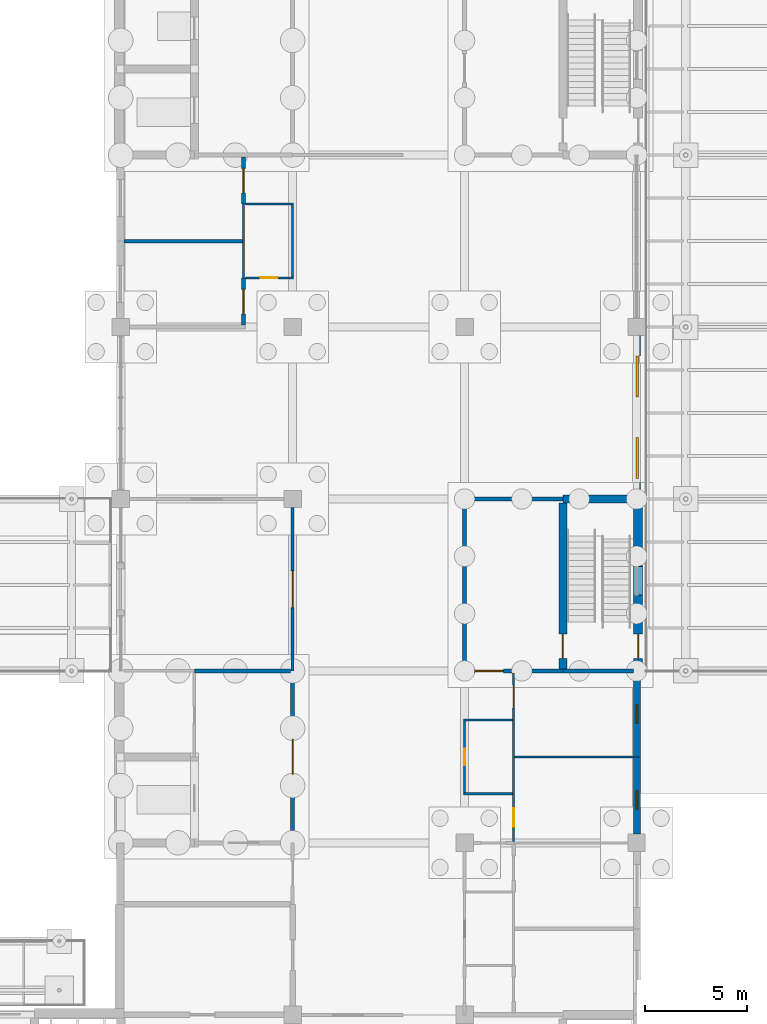
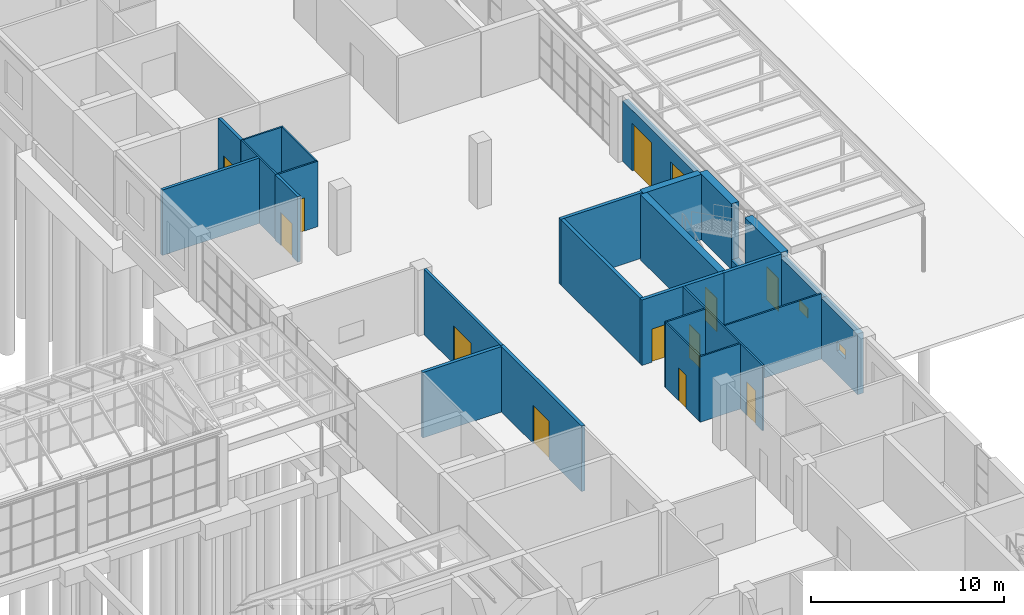
# One storey, part 117 of 138: 27 walls, 13 doors, 2 windows, 15 openings.
"""IFC4 building model written with IfcOpenShell, lengths in metres."""

from ifc_helpers import new_model, si_unit, direction, frame, frame_2d, origin, place, context, subcontext, project, spatial, rectangle, extrude, material, layer, layer_set, type_object, element, fill, save


model = new_model("IFC4")

# Units and contexts
model_context = context("Model", 3, precision=1e-05, world=origin(), true_north=direction((0.0, 1.0)))
body_context = subcontext(model_context, "Body", "Model", "MODEL_VIEW")
ifc_project = project(units=[si_unit("LENGTHUNIT", "METRE"), si_unit("AREAUNIT", "SQUARE_METRE"), si_unit("VOLUMEUNIT", "CUBIC_METRE"), si_unit("PLANEANGLEUNIT", "RADIAN"), si_unit("MASSUNIT", "GRAM", prefix="KILO")], contexts=[model_context])

# Site, building, storey
site_placement = place(None, origin())
site = spatial("IfcSite", under=ifc_project, at=site_placement, CompositionType="ELEMENT")
building_placement = place(site_placement, origin())
building = spatial("IfcBuilding", under=site, at=building_placement, Name="Yavir Park General Hospital", CompositionType="ELEMENT")
storey_placement = place(building_placement, origin())
storey = spatial("IfcBuildingStorey", under=building, at=storey_placement, Name="L00", CompositionType="ELEMENT", Elevation=0.0)

# Wall
ifc_material_1 = material(Name="Double-leaf gypsum board acoustic partition on staggered studs")
ifc_layer_1 = layer(ifc_material_1, 0.175048828125)
ifc_layer_set_1 = layer_set([ifc_layer_1], Name="Double-leaf gypsum board acoustic partition on staggered studs")
wall_type_1 = type_object("IfcWallType", Name="Acoustic partition 175", PredefinedType="PARTITIONING", material=ifc_layer_set_1)
wall_1_placement = place(storey_placement, frame((142.949951171875, 71.39990234375, 0.0), z_axis=(0.0, 0.0, 1.0), x_axis=(1.0, 0.0, 0.0)))
element("IfcWall", 1, at=wall_1_placement, inside=storey, type_object=wall_type_1, Name="AP175 L00-170", PredefinedType="PARTITIONING", context=body_context, shape_type="SweptSolid", body=[
    extrude(rectangle(XDim=5.800048828125, YDim=0.175048828125, at=frame_2d((2.89990234375, 0.0))), origin(), (0.0, 0.0, 1.0), 4.139892578125),
])

# Wall, opening, door
wall_2_placement = place(storey_placement, frame((148.800048828125, 67.28759765625, 0.0), z_axis=(0.0, 0.0, 1.0), x_axis=(0.0, 1.0, 0.0)))
wall_2 = element("IfcWall", 2, at=wall_2_placement, inside=storey, type_object=wall_type_1, Name="AP175 L00-471", PredefinedType="PARTITIONING", context=body_context, shape_type="SweptSolid", body=[
    extrude(rectangle(XDim=2.3125, YDim=0.175048828125, at=frame_2d((1.15625, 0.0))), origin(), (0.0, 0.0, 1.0), 4.139892578125),
])
opening_1_placement = place(wall_2_placement, frame((0.55615234375, 0.0, 0.0)))
opening_1 = element("IfcOpeningElement", 3, at=opening_1_placement, cuts=wall_2, Name="Opening L00.D218", PredefinedType="OPENING", context=body_context, shape_type="SweptSolid", body=[
    extrude(rectangle(XDim=1.199951171875, YDim=2.10009765625, at=frame_2d((0.60009765625, 1.050048828125))), frame((0.0, 0.097412109375, 0.0), z_axis=(0.0, -1.0, 0.0), x_axis=(1.0, 0.0, 0.0)), (0.0, 0.0, 1.0), 0.195068359375),
])
ifc_material_2 = material(Name="Sealed solid-core acoustic door leaf, Rw 42 dB")
door_type_1 = type_object("IfcDoorType", Name="Acoustic door 1200 x 2100", OperationType="SINGLE_SWING_LEFT", PredefinedType="DOOR", material=ifc_material_2)
door_1_placement = place(opening_1_placement, origin())
door_1 = element("IfcDoor", 4, at=door_1_placement, inside=storey, type_object=door_type_1, Name="L00.D218", OperationType="SINGLE_SWING_RIGHT", OverallHeight=2.10009765625, OverallWidth=1.199951171875, PredefinedType="DOOR", context=body_context, shape_type="SweptSolid", body=[
    extrude(rectangle(XDim=1.199951171875, YDim=2.10009765625, at=frame_2d((0.60009765625, 1.050048828125))), frame((0.0, 0.03515625, 0.0), z_axis=(0.0, -1.0, 0.0), x_axis=(1.0, 0.0, 0.0)), (0.0, 0.0, 1.0), 0.070068359375),
])
fill(opening_1, door_1)

wall_3_placement = place(storey_placement, frame((148.800048828125, 73.199951171875, 0.0), z_axis=(0.0, 0.0, 1.0), x_axis=(0.0, 1.0, 0.0)))
wall_3 = element("IfcWall", 5, at=wall_3_placement, inside=storey, type_object=wall_type_1, Name="AP175 L00-473", PredefinedType="PARTITIONING", context=body_context, shape_type="SweptSolid", body=[
    extrude(rectangle(XDim=2.300048828125, YDim=0.175048828125, at=frame_2d((1.14990234375, 0.0))), origin(), (0.0, 0.0, 1.0), 4.139892578125),
])
opening_2_placement = place(wall_3_placement, frame((0.550048828125, 0.0, 0.0)))
opening_2 = element("IfcOpeningElement", 6, at=opening_2_placement, cuts=wall_3, Name="Opening L00.D219", PredefinedType="OPENING", context=body_context, shape_type="SweptSolid", body=[
    extrude(rectangle(XDim=1.199951171875, YDim=2.10009765625, at=frame_2d((0.60009765625, 1.050048828125))), frame((0.0, 0.097412109375, 0.0), z_axis=(0.0, -1.0, 0.0), x_axis=(1.0, 0.0, 0.0)), (0.0, 0.0, 1.0), 0.195068359375),
])
door_2_placement = place(opening_2_placement, origin())
door_2 = element("IfcDoor", 7, at=door_2_placement, inside=storey, type_object=door_type_1, Name="L00.D219", OperationType="SINGLE_SWING_LEFT", OverallHeight=2.10009765625, OverallWidth=1.199951171875, PredefinedType="DOOR", context=body_context, shape_type="SweptSolid", body=[
    extrude(rectangle(XDim=1.199951171875, YDim=2.10009765625, at=frame_2d((0.60009765625, 1.050048828125))), frame((0.0, 0.03515625, 0.0), z_axis=(0.0, -1.0, 0.0), x_axis=(1.0, 0.0, 0.0)), (0.0, 0.0, 1.0), 0.070068359375),
])
fill(opening_2, door_2)

# Wall
ifc_material_3 = material(Name="Double gypsum board fire partition on steel studs", Category="steel")
ifc_layer_2 = layer(ifc_material_3, 0.199951171875)
ifc_layer_set_2 = layer_set([ifc_layer_2], Name="Double gypsum board fire partition on steel studs")
wall_type_2 = type_object("IfcWallType", Name="Fire-rated partition 200, EI 60", PredefinedType="PARTITIONING", material=ifc_layer_set_2)
wall_4_placement = place(storey_placement, frame((146.39990234375, 50.39990234375, 0.0), z_axis=(0.0, 0.0, 1.0), x_axis=(1.0, 0.0, 0.0)))
element("IfcWall", 8, at=wall_4_placement, inside=storey, type_object=wall_type_2, Name="FP20 L00-131", PredefinedType="PARTITIONING", context=body_context, shape_type="SweptSolid", body=[
    extrude(rectangle(XDim=4.7001953125, YDim=0.199951171875, at=frame_2d((2.35009765625, 0.0))), origin(), (0.0, 0.0, 1.0), 4.139892578125),
])

# Wall, opening, door
wall_5_placement = place(storey_placement, frame((159.5, 50.39990234375, 0.0), z_axis=(0.0, 0.0, 1.0), x_axis=(1.0, 0.0, 0.0)))
wall_5 = element("IfcWall", 9, at=wall_5_placement, inside=storey, type_object=wall_type_2, Name="FP20 L00-132", PredefinedType="PARTITIONING", context=body_context, shape_type="SweptSolid", body=[
    extrude(rectangle(XDim=4.89990234375, YDim=0.199951171875, at=frame_2d((2.449951171875, 0.0))), origin(), (0.0, 0.0, 1.0), 4.139892578125),
])
opening_3_placement = place(wall_5_placement, frame((0.60009765625, 0.0, 0.0)))
opening_3 = element("IfcOpeningElement", 10, at=opening_3_placement, cuts=wall_5, Name="Opening L00.D089", PredefinedType="OPENING", context=body_context, shape_type="SweptSolid", body=[
    extrude(rectangle(XDim=1.39990234375, YDim=2.10009765625, at=frame_2d((0.699951171875, 1.050048828125))), frame((0.0, 0.10986328125, 0.0), z_axis=(0.0, -1.0, 0.0), x_axis=(1.0, 0.0, 0.0)), (0.0, 0.0, 1.0), 0.219970703125),
])
ifc_material_4 = material(Name="Steel frame, fire-resisting leaves with vision panels", Category="steel")
door_type_2 = type_object("IfcDoorType", Name="Double fire door with vision panels 1400 x 2100, EI 60", OperationType="DOUBLE_DOOR_SINGLE_SWING", PredefinedType="DOOR", material=ifc_material_4)
door_3_placement = place(opening_3_placement, origin())
door_3 = element("IfcDoor", 11, at=door_3_placement, inside=storey, type_object=door_type_2, Name="L00.D089", OperationType="SINGLE_SWING_RIGHT", OverallHeight=2.10009765625, OverallWidth=1.39990234375, PredefinedType="DOOR", context=body_context, shape_type="SweptSolid", body=[
    extrude(rectangle(XDim=1.39990234375, YDim=2.10009765625, at=frame_2d((0.699951171875, 1.050048828125))), frame((0.0, 0.030029296875, 0.0), z_axis=(0.0, -1.0, 0.0), x_axis=(1.0, 0.0, 0.0)), (0.0, 0.0, 1.0), 0.06005859375),
])
fill(opening_3, door_3)

# Wall
wall_6_placement = place(storey_placement, frame((159.5, 58.800048828125, 0.0), z_axis=(0.0, 0.0, 1.0), x_axis=(1.0, 0.0, 0.0)))
element("IfcWall", 12, at=wall_6_placement, inside=storey, type_object=wall_type_2, Name="FP20 L00-148", PredefinedType="PARTITIONING", context=body_context, shape_type="SweptSolid", body=[
    extrude(rectangle(XDim=4.89990234375, YDim=0.199951171875, at=frame_2d((2.449951171875, 0.0))), origin(), (0.0, 0.0, 1.0), 4.139892578125),
])

# Wall, opening, door
wall_7_placement = place(storey_placement, frame((151.199951171875, 42.0, 0.0), z_axis=(0.0, 0.0, 1.0), x_axis=(0.0, 1.0, 0.0)))
wall_7 = element("IfcWall", 13, at=wall_7_placement, inside=storey, type_object=wall_type_2, Name="FP20 L00-487", PredefinedType="PARTITIONING", context=body_context, shape_type="SweptSolid", body=[
    extrude(rectangle(XDim=8.39990234375, YDim=0.199951171875, at=frame_2d((4.199951171875, 0.0))), origin(), (0.0, 0.0, 1.0), 4.139892578125),
])
opening_4_placement = place(wall_7_placement, frame((3.35009765625, 0.0, 0.0)))
opening_4 = element("IfcOpeningElement", 14, at=opening_4_placement, cuts=wall_7, Name="Opening L00.D228", PredefinedType="OPENING", context=body_context, shape_type="SweptSolid", body=[
    extrude(rectangle(XDim=1.699951171875, YDim=2.39990234375, at=frame_2d((0.85009765625, 1.199951171875))), frame((0.0, 0.10986328125, 0.0), z_axis=(0.0, -1.0, 0.0), x_axis=(1.0, 0.0, 0.0)), (0.0, 0.0, 1.0), 0.219970703125),
])
ifc_material_5 = material(Name="Steel frame, fire-resisting timber leaves", Category="steel")
door_type_3 = type_object("IfcDoorType", Name="Double fire door 1700 x 2400, EI 60", OperationType="DOUBLE_DOOR_SINGLE_SWING", PredefinedType="DOOR", material=ifc_material_5)
door_4_placement = place(opening_4_placement, origin())
door_4 = element("IfcDoor", 15, at=door_4_placement, inside=storey, type_object=door_type_3, Name="L00.D228", OperationType="SINGLE_SWING_RIGHT", OverallHeight=2.39990234375, OverallWidth=1.699951171875, PredefinedType="DOOR", context=body_context, shape_type="SweptSolid", body=[
    extrude(rectangle(XDim=1.699951171875, YDim=2.39990234375, at=frame_2d((0.85009765625, 1.199951171875))), frame((0.0, 0.02490234375, 0.0), z_axis=(0.0, -1.0, 0.0), x_axis=(1.0, 0.0, 0.0)), (0.0, 0.0, 1.0), 0.050048828125),
])
fill(opening_4, door_4)

# Walls
wall_8_placement = place(storey_placement, frame((159.60009765625, 50.5, 0.0), z_axis=(0.0, 0.0, 1.0), x_axis=(0.0, 1.0, 0.0)))
element("IfcWall", 16, at=wall_8_placement, inside=storey, type_object=wall_type_2, Name="FP20 L00-506", PredefinedType="PARTITIONING", context=body_context, shape_type="SweptSolid", body=[
    extrude(rectangle(XDim=8.199951171875, YDim=0.199951171875, at=frame_2d((4.10009765625, 0.0))), origin(), (0.0, 0.0, 1.0), 4.139892578125),
])
ifc_material_6 = material(Name="Double gypsum board fire partition on steel studs", Category="steel")
ifc_layer_3 = layer(ifc_material_6, 0.199951171875)
ifc_layer_set_3 = layer_set([ifc_layer_3], Name="Double gypsum board fire partition on steel studs")
wall_type_3 = type_object("IfcWallType", Name="Fire-rated partition 200, REI 150", PredefinedType="PARTITIONING", material=ifc_layer_set_3)
wall_9_placement = place(storey_placement, frame((164.39990234375, 50.39990234375, 0.0), z_axis=(0.0, 0.0, 1.0), x_axis=(1.0, 0.0, 0.0)))
element("IfcWall", 17, at=wall_9_placement, inside=storey, type_object=wall_type_3, Name="FP20 L00-133", PredefinedType="PARTITIONING", context=body_context, shape_type="SweptSolid", body=[
    extrude(rectangle(XDim=3.4501953125, YDim=0.199951171875, at=frame_2d((1.72509765625, 0.0))), origin(), (0.0, 0.0, 1.0), 4.139892578125),
])
ifc_material_7 = material(Name="Gypsum board partition on steel studs", Category="steel")
ifc_layer_4 = layer(ifc_material_7, 0.10009765625)
ifc_layer_set_4 = layer_set([ifc_layer_4], Name="Gypsum board partition on steel studs")
wall_type_4 = type_object("IfcWallType", Name="Gypsum board partition 100", PredefinedType="PARTITIONING", material=ifc_layer_set_4)
wall_10_placement = place(storey_placement, frame((159.550048828125, 44.39990234375, 0.0), z_axis=(0.0, 0.0, 1.0), x_axis=(1.0, 0.0, 0.0)))
element("IfcWall", 18, at=wall_10_placement, inside=storey, type_object=wall_type_4, Name="P10 L00-116", PredefinedType="PARTITIONING", context=body_context, shape_type="SweptSolid", body=[
    extrude(rectangle(XDim=2.39990234375, YDim=0.10009765625, at=frame_2d((1.199951171875, 0.0))), origin(), (0.0, 0.0, 1.0), 4.139892578125),
])
wall_11_placement = place(storey_placement, frame((162.050048828125, 46.199951171875, 0.0), z_axis=(0.0, 0.0, 1.0), x_axis=(1.0, 0.0, 0.0)))
element("IfcWall", 19, at=wall_11_placement, inside=storey, type_object=wall_type_4, Name="P10 L00-119", PredefinedType="PARTITIONING", context=body_context, shape_type="SweptSolid", body=[
    extrude(rectangle(XDim=5.800048828125, YDim=0.10009765625, at=frame_2d((2.89990234375, 0.0))), origin(), (0.0, 0.0, 1.0), 4.139892578125),
])
wall_12_placement = place(storey_placement, frame((159.550048828125, 48.0, 0.0), z_axis=(0.0, 0.0, 1.0), x_axis=(1.0, 0.0, 0.0)))
element("IfcWall", 20, at=wall_12_placement, inside=storey, type_object=wall_type_4, Name="P10 L00-121", PredefinedType="PARTITIONING", context=body_context, shape_type="SweptSolid", body=[
    extrude(rectangle(XDim=2.39990234375, YDim=0.10009765625, at=frame_2d((1.199951171875, 0.0))), origin(), (0.0, 0.0, 1.0), 4.139892578125),
])

# Wall, opening, door
wall_13_placement = place(storey_placement, frame((148.887451171875, 69.60009765625, 0.0), z_axis=(0.0, 0.0, 1.0), x_axis=(1.0, 0.0, 0.0)))
wall_13 = element("IfcWall", 21, at=wall_13_placement, inside=storey, type_object=wall_type_4, Name="P10 L00-166", PredefinedType="PARTITIONING", context=body_context, shape_type="SweptSolid", body=[
    extrude(rectangle(XDim=2.362548828125, YDim=0.10009765625, at=frame_2d((1.18115234375, 0.0))), origin(), (0.0, 0.0, 1.0), 4.139892578125),
])
opening_5_placement = place(wall_13_placement, frame((0.75634765625, 0.0, 0.0)))
opening_5 = element("IfcOpeningElement", 22, at=opening_5_placement, cuts=wall_13, Name="Opening L00.D107", PredefinedType="OPENING", context=body_context, shape_type="SweptSolid", body=[
    extrude(rectangle(XDim=0.800048828125, YDim=2.10009765625, at=frame_2d((0.39990234375, 1.050048828125))), frame((0.0, 0.06005859375, 0.0), z_axis=(0.0, -1.0, 0.0), x_axis=(1.0, 0.0, 0.0)), (0.0, 0.0, 1.0), 0.1201171875),
])
ifc_material_8 = material(Name="Timber frame, hollow-core leaf", Category="wood")
door_type_4 = type_object("IfcDoorType", Name="Light cupboard door 800 x 2100", OperationType="SINGLE_SWING_LEFT", PredefinedType="DOOR", material=ifc_material_8)
door_5_placement = place(opening_5_placement, origin())
door_5 = element("IfcDoor", 23, at=door_5_placement, inside=storey, type_object=door_type_4, Name="L00.D107", OperationType="SINGLE_SWING_LEFT", OverallHeight=2.10009765625, OverallWidth=0.800048828125, PredefinedType="DOOR", context=body_context, shape_type="SweptSolid", body=[
    extrude(rectangle(XDim=0.800048828125, YDim=2.10009765625, at=frame_2d((0.39990234375, 1.050048828125))), frame((0.0, 0.02001953125, 0.0), z_axis=(0.0, -1.0, 0.0), x_axis=(1.0, 0.0, 0.0)), (0.0, 0.0, 1.0), 0.0400390625),
])
fill(opening_5, door_5)

# Walls
wall_14_placement = place(storey_placement, frame((148.887451171875, 73.199951171875, 0.0), z_axis=(0.0, 0.0, 1.0), x_axis=(1.0, 0.0, 0.0)))
element("IfcWall", 24, at=wall_14_placement, inside=storey, type_object=wall_type_4, Name="P10 L00-175", PredefinedType="PARTITIONING", context=body_context, shape_type="SweptSolid", body=[
    extrude(rectangle(XDim=2.362548828125, YDim=0.10009765625, at=frame_2d((1.18115234375, 0.0))), origin(), (0.0, 0.0, 1.0), 4.139892578125),
])
wall_15_placement = place(storey_placement, frame((148.800048828125, 69.60009765625, 0.0), z_axis=(0.0, 0.0, 1.0), x_axis=(0.0, 1.0, 0.0)))
element("IfcWall", 25, at=wall_15_placement, inside=storey, type_object=wall_type_4, Name="P10 L00-472", PredefinedType="PARTITIONING", context=body_context, shape_type="SweptSolid", body=[
    extrude(rectangle(XDim=3.599853515625, YDim=0.10009765625, at=frame_2d((1.7998046875, 0.0))), origin(), (0.0, 0.0, 1.0), 4.139892578125),
])
wall_16_placement = place(storey_placement, frame((151.199951171875, 69.64990234375, 0.0), z_axis=(0.0, 0.0, 1.0), x_axis=(0.0, 1.0, 0.0)))
element("IfcWall", 26, at=wall_16_placement, inside=storey, type_object=wall_type_4, Name="P10 L00-489", PredefinedType="PARTITIONING", context=body_context, shape_type="SweptSolid", body=[
    extrude(rectangle(XDim=3.5, YDim=0.10009765625, at=frame_2d((1.75, 0.0))), origin(), (0.0, 0.0, 1.0), 4.139892578125),
])

# Wall, opening, door
wall_17_placement = place(storey_placement, frame((159.60009765625, 44.449951171875, 0.0), z_axis=(0.0, 0.0, 1.0), x_axis=(0.0, 1.0, 0.0)))
wall_17 = element("IfcWall", 27, at=wall_17_placement, inside=storey, type_object=wall_type_4, Name="P10 L00-505", PredefinedType="PARTITIONING", context=body_context, shape_type="SweptSolid", body=[
    extrude(rectangle(XDim=3.5, YDim=0.10009765625, at=frame_2d((1.75, 0.0))), origin(), (0.0, 0.0, 1.0), 4.139892578125),
])
opening_6_placement = place(wall_17_placement, frame((1.35009765625, 0.0, 0.0)))
opening_6 = element("IfcOpeningElement", 28, at=opening_6_placement, cuts=wall_17, Name="Opening L00.D236", PredefinedType="OPENING", context=body_context, shape_type="SweptSolid", body=[
    extrude(rectangle(XDim=0.800048828125, YDim=2.10009765625, at=frame_2d((0.39990234375, 1.050048828125))), frame((0.0, 0.06005859375, 0.0), z_axis=(0.0, -1.0, 0.0), x_axis=(1.0, 0.0, 0.0)), (0.0, 0.0, 1.0), 0.1201171875),
])
door_6_placement = place(opening_6_placement, origin())
door_6 = element("IfcDoor", 29, at=door_6_placement, inside=storey, type_object=door_type_4, Name="L00.D236", OperationType="SINGLE_SWING_LEFT", OverallHeight=2.10009765625, OverallWidth=0.800048828125, PredefinedType="DOOR", context=body_context, shape_type="SweptSolid", body=[
    extrude(rectangle(XDim=0.800048828125, YDim=2.10009765625, at=frame_2d((0.39990234375, 1.050048828125))), frame((0.0, 0.02001953125, 0.0), z_axis=(0.0, -1.0, 0.0), x_axis=(1.0, 0.0, 0.0)), (0.0, 0.0, 1.0), 0.0400390625),
])
fill(opening_6, door_6)

# Wall, openings, doors
wall_18_placement = place(storey_placement, frame((162.0, 42.074951171875, 0.0), z_axis=(0.0, 0.0, 1.0), x_axis=(0.0, 1.0, 0.0)))
wall_18 = element("IfcWall", 30, at=wall_18_placement, inside=storey, type_object=wall_type_4, Name="P10 L00-517", PredefinedType="PARTITIONING", context=body_context, shape_type="SweptSolid", body=[
    extrude(rectangle(XDim=8.22509765625, YDim=0.10009765625, at=frame_2d((4.112548828125, 0.0))), origin(), (0.0, 0.0, 1.0), 4.139892578125),
])
opening_7_placement = place(wall_18_placement, frame((0.71240234375, 0.0, 0.0)))
opening_7 = element("IfcOpeningElement", 31, at=opening_7_placement, cuts=wall_18, Name="Opening L00.D240", PredefinedType="OPENING", context=body_context, shape_type="SweptSolid", body=[
    extrude(rectangle(XDim=0.89990234375, YDim=2.10009765625, at=frame_2d((0.449951171875, 1.050048828125))), frame((0.0, 0.06005859375, 0.0), z_axis=(0.0, -1.0, 0.0), x_axis=(1.0, 0.0, 0.0)), (0.0, 0.0, 1.0), 0.1201171875),
])
opening_8_placement = place(wall_18_placement, frame((6.52490234375, 0.0, 0.0)))
opening_8 = element("IfcOpeningElement", 32, at=opening_8_placement, cuts=wall_18, Name="Opening L00.D241", PredefinedType="OPENING", context=body_context, shape_type="SweptSolid", body=[
    extrude(rectangle(XDim=1.10009765625, YDim=2.10009765625, at=frame_2d((0.550048828125, 1.050048828125))), frame((0.0, 0.06005859375, 0.0), z_axis=(0.0, -1.0, 0.0), x_axis=(1.0, 0.0, 0.0)), (0.0, 0.0, 1.0), 0.1201171875),
])
ifc_material_9 = material(Name="Timber frame, hollow-core leaf", Category="wood")
door_type_5 = type_object("IfcDoorType", Name="Light cupboard door 900 x 2100", OperationType="SINGLE_SWING_LEFT", PredefinedType="DOOR", material=ifc_material_9)
door_7_placement = place(opening_7_placement, origin())
door_7 = element("IfcDoor", 33, at=door_7_placement, inside=storey, type_object=door_type_5, Name="L00.D240", OperationType="SINGLE_SWING_LEFT", OverallHeight=2.10009765625, OverallWidth=0.89990234375, PredefinedType="DOOR", context=body_context, shape_type="SweptSolid", body=[
    extrude(rectangle(XDim=0.89990234375, YDim=2.10009765625, at=frame_2d((0.449951171875, 1.050048828125))), frame((0.0, 0.02001953125, 0.0), z_axis=(0.0, -1.0, 0.0), x_axis=(1.0, 0.0, 0.0)), (0.0, 0.0, 1.0), 0.0400390625),
])
fill(opening_7, door_7)
ifc_material_10 = material(Name="Hollow metal frame, solid-core timber leaf", Category="wood")
door_type_6 = type_object("IfcDoorType", Name="Single swing door 1100 x 2100", OperationType="SINGLE_SWING_LEFT", PredefinedType="DOOR", material=ifc_material_10)
door_8_placement = place(opening_8_placement, origin())
door_8 = element("IfcDoor", 34, at=door_8_placement, inside=storey, type_object=door_type_6, Name="L00.D241", OperationType="SINGLE_SWING_RIGHT", OverallHeight=2.10009765625, OverallWidth=1.10009765625, PredefinedType="DOOR", context=body_context, shape_type="SweptSolid", body=[
    extrude(rectangle(XDim=1.10009765625, YDim=2.10009765625, at=frame_2d((0.550048828125, 1.050048828125))), frame((0.0, 0.02490234375, 0.0), z_axis=(0.0, -1.0, 0.0), x_axis=(1.0, 0.0, 0.0)), (0.0, 0.0, 1.0), 0.050048828125),
])
fill(opening_8, door_8)

# Wall, opening, door
ifc_material_11 = material(Name="Gypsum board partition on steel studs", Category="steel")
ifc_layer_5 = layer(ifc_material_11, 0.14990234375)
ifc_layer_set_5 = layer_set([ifc_layer_5], Name="Gypsum board partition on steel studs")
wall_type_5 = type_object("IfcWallType", Name="Gypsum board partition 150", PredefinedType="PARTITIONING", material=ifc_layer_set_5)
wall_19_placement = place(storey_placement, frame((151.199951171875, 50.39990234375, 0.0), z_axis=(0.0, 0.0, 1.0), x_axis=(0.0, 1.0, 0.0)))
wall_19 = element("IfcWall", 35, at=wall_19_placement, inside=storey, type_object=wall_type_5, Name="P15 L00-488", PredefinedType="PARTITIONING", context=body_context, shape_type="SweptSolid", body=[
    extrude(rectangle(XDim=7.97509765625, YDim=0.14990234375, at=frame_2d((3.987548828125, 0.0))), origin(), (0.0, 0.0, 1.0), 4.139892578125),
])
opening_9_placement = place(wall_19_placement, frame((3.08740234375, 0.0, 0.0)))
opening_9 = element("IfcOpeningElement", 36, at=opening_9_placement, cuts=wall_19, Name="Opening L00.D229", PredefinedType="OPENING", context=body_context, shape_type="SweptSolid", body=[
    extrude(rectangle(XDim=1.800048828125, YDim=2.39990234375, at=frame_2d((0.89990234375, 1.199951171875))), frame((0.0, 0.0849609375, 0.0), z_axis=(0.0, -1.0, 0.0), x_axis=(1.0, 0.0, 0.0)), (0.0, 0.0, 1.0), 0.169921875),
])
ifc_material_12 = material(Name="Aluminium frame, toughened glass leaves", Category="aluminium")
door_type_7 = type_object("IfcDoorType", Name="Double sliding door 1800 x 2400", OperationType="DOUBLE_DOOR_SLIDING", PredefinedType="DOOR", material=ifc_material_12)
door_9_placement = place(opening_9_placement, origin())
door_9 = element("IfcDoor", 37, at=door_9_placement, inside=storey, type_object=door_type_7, Name="L00.D229", OperationType="DOUBLE_DOOR_SLIDING", OverallHeight=2.39990234375, OverallWidth=1.800048828125, PredefinedType="DOOR", context=body_context, shape_type="SweptSolid", body=[
    extrude(rectangle(XDim=1.800048828125, YDim=2.39990234375, at=frame_2d((0.89990234375, 1.199951171875))), frame((0.0, 0.02490234375, 0.0), z_axis=(0.0, -1.0, 0.0), x_axis=(1.0, 0.0, 0.0)), (0.0, 0.0, 1.0), 0.050048828125),
])
fill(opening_9, door_9)

# Wall, opening, window
ifc_material_13 = material(Name="Concrete C30/37 precast panel with 120 mm mineral wool insulation", Category="concrete")
ifc_layer_6 = layer(ifc_material_13, 0.35009765625)
ifc_layer_set_6 = layer_set([ifc_layer_6], Name="Concrete C30/37 precast panel with 120 mm mineral wool insulation")
wall_type_6 = type_object("IfcWallType", Name="Precast cladding panel podium wall 350, E 30", PredefinedType="SOLIDWALL", material=ifc_layer_set_6)
wall_20_placement = place(storey_placement, frame((168.02490234375, 42.425048828125, 0.0), z_axis=(0.0, 0.0, 1.0), x_axis=(0.0, 1.0, 0.0)))
wall_20 = element("IfcWall", 38, at=wall_20_placement, inside=storey, type_object=wall_type_6, Name="XW2 L00-182", PredefinedType="SOLIDWALL", context=body_context, shape_type="SweptSolid", body=[
    extrude(rectangle(XDim=3.77490234375, YDim=0.35009765625, at=frame_2d((1.887451171875, 0.0))), origin(), (0.0, 0.0, 1.0), 3.840087890625),
])
opening_10_placement = place(wall_20_placement, frame((1.22509765625, 0.0, 1.5)))
opening_10 = element("IfcOpeningElement", 39, at=opening_10_placement, cuts=wall_20, Name="Opening WE", PredefinedType="OPENING", context=body_context, shape_type="SweptSolid", body=[
    extrude(rectangle(XDim=0.89990234375, YDim=0.60009765625, at=frame_2d((0.449951171875, 0.300048828125))), frame((0.0, 0.18505859375, 0.0), z_axis=(0.0, -1.0, 0.0), x_axis=(1.0, 0.0, 0.0)), (0.0, 0.0, 1.0), 0.3701171875),
])
ifc_material_14 = material(Name="Aluminium frame, obscured glazed unit", Category="aluminium")
window_type = type_object("IfcWindowType", Name="Toilet window 900 x 600", PartitioningType="SINGLE_PANEL", PredefinedType="WINDOW", material=ifc_material_14)
window_1_placement = place(opening_10_placement, origin())
window_1 = element("IfcWindow", 40, at=window_1_placement, inside=storey, type_object=window_type, Name="WE L00-080", OverallHeight=0.60009765625, OverallWidth=0.89990234375, PartitioningType="SINGLE_PANEL", PredefinedType="WINDOW", context=body_context, shape_type="SweptSolid", body=[
    extrude(rectangle(XDim=0.89990234375, YDim=0.60009765625, at=frame_2d((0.449951171875, 0.300048828125))), frame((0.0, 0.030029296875, 0.0), z_axis=(0.0, -1.0, 0.0), x_axis=(1.0, 0.0, 0.0)), (0.0, 0.0, 1.0), 0.06005859375),
])
fill(opening_10, window_1)

wall_21_placement = place(storey_placement, frame((168.02490234375, 46.199951171875, 0.0), z_axis=(0.0, 0.0, 1.0), x_axis=(0.0, 1.0, 0.0)))
wall_21 = element("IfcWall", 41, at=wall_21_placement, inside=storey, type_object=wall_type_6, Name="XW2 L00-183", PredefinedType="SOLIDWALL", context=body_context, shape_type="SweptSolid", body=[
    extrude(rectangle(XDim=4.199951171875, YDim=0.35009765625, at=frame_2d((2.10009765625, 0.0))), origin(), (0.0, 0.0, 1.0), 3.840087890625),
])
opening_11_placement = place(wall_21_placement, frame((1.64990234375, 0.0, 1.5)))
opening_11 = element("IfcOpeningElement", 42, at=opening_11_placement, cuts=wall_21, Name="Opening WE", PredefinedType="OPENING", context=body_context, shape_type="SweptSolid", body=[
    extrude(rectangle(XDim=0.89990234375, YDim=0.60009765625, at=frame_2d((0.449951171875, 0.300048828125))), frame((0.0, 0.18505859375, 0.0), z_axis=(0.0, -1.0, 0.0), x_axis=(1.0, 0.0, 0.0)), (0.0, 0.0, 1.0), 0.3701171875),
])
window_2_placement = place(opening_11_placement, origin())
window_2 = element("IfcWindow", 43, at=window_2_placement, inside=storey, type_object=window_type, Name="WE L00-081", OverallHeight=0.60009765625, OverallWidth=0.89990234375, PartitioningType="SINGLE_PANEL", PredefinedType="WINDOW", context=body_context, shape_type="SweptSolid", body=[
    extrude(rectangle(XDim=0.89990234375, YDim=0.60009765625, at=frame_2d((0.449951171875, 0.300048828125))), frame((0.0, 0.030029296875, 0.0), z_axis=(0.0, -1.0, 0.0), x_axis=(1.0, 0.0, 0.0)), (0.0, 0.0, 1.0), 0.06005859375),
])
fill(opening_11, window_2)

# Wall, openings, doors
wall_22_placement = place(storey_placement, frame((168.02490234375, 58.800048828125, 0.0), z_axis=(0.0, 0.0, 1.0), x_axis=(0.0, 1.0, 0.0)))
wall_22 = element("IfcWall", 44, at=wall_22_placement, inside=storey, type_object=wall_type_6, Name="XW2 L00-187", PredefinedType="SOLIDWALL", context=body_context, shape_type="SweptSolid", body=[
    extrude(rectangle(XDim=7.974853515625, YDim=0.35009765625, at=frame_2d((3.9873046875, 0.0))), origin(), (0.0, 0.0, 1.0), 3.840087890625),
])
opening_12_placement = place(wall_22_placement, frame((0.99365234375, 0.0, 0.0)))
opening_12 = element("IfcOpeningElement", 45, at=opening_12_placement, cuts=wall_22, Name="Opening L00.X36", PredefinedType="OPENING", context=body_context, shape_type="SweptSolid", body=[
    extrude(rectangle(XDim=2.0, YDim=3.0, at=frame_2d((1.0, 1.5))), frame((0.0, 0.18505859375, 0.0), z_axis=(0.0, -1.0, 0.0), x_axis=(1.0, 0.0, 0.0)), (0.0, 0.0, 1.0), 0.3701171875),
])
opening_13_placement = place(wall_22_placement, frame((4.981201171875, 0.0, 0.0)))
opening_13 = element("IfcOpeningElement", 46, at=opening_13_placement, cuts=wall_22, Name="Opening L00.X37", PredefinedType="OPENING", context=body_context, shape_type="SweptSolid", body=[
    extrude(rectangle(XDim=2.0, YDim=3.0, at=frame_2d((1.0, 1.5))), frame((0.0, 0.18505859375, 0.0), z_axis=(0.0, -1.0, 0.0), x_axis=(1.0, 0.0, 0.0)), (0.0, 0.0, 1.0), 0.3701171875),
])
ifc_material_15 = material(Name="Aluminium frame, toughened glass leaves", Category="aluminium")
door_type_8 = type_object("IfcDoorType", Name="Automatic entrance sliding door 2000 x 3000", OperationType="DOUBLE_DOOR_SLIDING", PredefinedType="DOOR", material=ifc_material_15)
door_10_placement = place(opening_12_placement, frame((2.0, 0.0, 0.0), x_axis=(-1.0, 0.0, 0.0)))
door_10 = element("IfcDoor", 47, at=door_10_placement, inside=storey, type_object=door_type_8, Name="L00.X36", OperationType="DOUBLE_DOOR_SLIDING", OverallHeight=3.0, OverallWidth=2.0, PredefinedType="DOOR", context=body_context, shape_type="SweptSolid", body=[
    extrude(rectangle(XDim=2.0, YDim=3.0, at=frame_2d((1.0, 1.5))), frame((0.0, 0.06005859375, 0.0), z_axis=(0.0, -1.0, 0.0), x_axis=(1.0, 0.0, 0.0)), (0.0, 0.0, 1.0), 0.1201171875),
])
fill(opening_12, door_10)
door_11_placement = place(opening_13_placement, frame((2.0, 0.0, 0.0), x_axis=(-1.0, 0.0, 0.0)))
door_11 = element("IfcDoor", 48, at=door_11_placement, inside=storey, type_object=door_type_8, Name="L00.X37", OperationType="DOUBLE_DOOR_SLIDING", OverallHeight=3.0, OverallWidth=2.0, PredefinedType="DOOR", context=body_context, shape_type="SweptSolid", body=[
    extrude(rectangle(XDim=2.0, YDim=3.0, at=frame_2d((1.0, 1.5))), frame((0.0, 0.06005859375, 0.0), z_axis=(0.0, -1.0, 0.0), x_axis=(1.0, 0.0, 0.0)), (0.0, 0.0, 1.0), 0.1201171875),
])
fill(opening_13, door_11)

# Wall
ifc_material_16 = material(Name="Concrete C35/45", Category="concrete")
ifc_layer_7 = layer(ifc_material_16, 0.39990234375)
ifc_layer_set_7 = layer_set([ifc_layer_7], Name="Concrete C35/45")
wall_type_7 = type_object("IfcWallType", Name="Reinforced concrete core wall 400, REI 150", PredefinedType="SHEAR", material=ifc_layer_set_7)
wall_23_placement = place(storey_placement, frame((164.39990234375, 58.800048828125, 0.0), z_axis=(0.0, 0.0, 1.0), x_axis=(1.0, 0.0, 0.0)))
element("IfcWall", 49, at=wall_23_placement, inside=storey, type_object=wall_type_7, Name="CW40 L00-149", PredefinedType="SHEAR", context=body_context, shape_type="SweptSolid", body=[
    extrude(rectangle(XDim=3.4501953125, YDim=0.39990234375, at=frame_2d((1.72509765625, 0.0))), origin(), (0.0, 0.0, 1.0), 4.139892578125),
])

# Wall, opening, door
wall_24_placement = place(storey_placement, frame((164.39990234375, 50.5, 0.0), z_axis=(0.0, 0.0, 1.0), x_axis=(0.0, 1.0, 0.0)))
wall_24 = element("IfcWall", 50, at=wall_24_placement, inside=storey, type_object=wall_type_7, Name="CW40 L00-529", PredefinedType="SHEAR", context=body_context, shape_type="SweptSolid", body=[
    extrude(rectangle(XDim=8.10009765625, YDim=0.39990234375, at=frame_2d((4.050048828125, 0.0))), origin(), (0.0, 0.0, 1.0), 4.139892578125),
])
opening_14_placement = place(wall_24_placement, frame((0.5, 0.0, 0.0)))
opening_14 = element("IfcOpeningElement", 51, at=opening_14_placement, cuts=wall_24, Name="Opening L00.D250", PredefinedType="OPENING", context=body_context, shape_type="SweptSolid", body=[
    extrude(rectangle(XDim=1.199951171875, YDim=2.10009765625, at=frame_2d((0.60009765625, 1.050048828125))), frame((0.0, 0.2099609375, 0.0), z_axis=(0.0, -1.0, 0.0), x_axis=(1.0, 0.0, 0.0)), (0.0, 0.0, 1.0), 0.419921875),
])
ifc_material_17 = material(Name="Steel frame, fire-resisting timber leaf", Category="steel")
door_type_9 = type_object("IfcDoorType", Name="Fire door 1200 x 2100, EI 60", OperationType="SINGLE_SWING_LEFT", PredefinedType="DOOR", material=ifc_material_17)
door_12_placement = place(opening_14_placement, origin())
door_12 = element("IfcDoor", 52, at=door_12_placement, inside=storey, type_object=door_type_9, Name="L00.D250", OperationType="SINGLE_SWING_RIGHT", OverallHeight=2.10009765625, OverallWidth=1.199951171875, PredefinedType="DOOR", context=body_context, shape_type="SweptSolid", body=[
    extrude(rectangle(XDim=1.199951171875, YDim=2.10009765625, at=frame_2d((0.60009765625, 1.050048828125))), frame((0.0, 0.02490234375, 0.0), z_axis=(0.0, -1.0, 0.0), x_axis=(1.0, 0.0, 0.0)), (0.0, 0.0, 1.0), 0.050048828125),
])
fill(opening_14, door_12)

ifc_material_18 = material(Name="Concrete C30/37 precast panel with 150 mm mineral wool insulation", Category="concrete")
ifc_layer_8 = layer(ifc_material_18, 0.449951171875)
ifc_layer_set_8 = layer_set([ifc_layer_8], Name="Concrete C30/37 precast panel with 150 mm mineral wool insulation")
wall_type_8 = type_object("IfcWallType", Name="Stair enclosure wall 450, REI 150", PredefinedType="SOLIDWALL", material=ifc_layer_set_8)
wall_25_placement = place(storey_placement, frame((168.074951171875, 50.39990234375, 0.0), z_axis=(0.0, 0.0, 1.0), x_axis=(0.0, 1.0, 0.0)))
wall_25 = element("IfcWall", 53, at=wall_25_placement, inside=storey, type_object=wall_type_8, Name="XW6 L00-184", PredefinedType="SOLIDWALL", context=body_context, shape_type="SweptSolid", body=[
    extrude(rectangle(XDim=3.7001953125, YDim=0.449951171875, at=frame_2d((1.85009765625, 0.0))), origin(), (0.0, 0.0, 1.0), 4.139892578125),
])
opening_15_placement = place(wall_25_placement, frame((0.60009765625, 0.0, 0.0)))
opening_15 = element("IfcOpeningElement", 54, at=opening_15_placement, cuts=wall_25, Name="Opening L00.X35", PredefinedType="OPENING", context=body_context, shape_type="SweptSolid", body=[
    extrude(rectangle(XDim=1.199951171875, YDim=2.10009765625, at=frame_2d((0.60009765625, 1.050048828125))), frame((0.0, 0.23486328125, 0.0), z_axis=(0.0, -1.0, 0.0), x_axis=(1.0, 0.0, 0.0)), (0.0, 0.0, 1.0), 0.469970703125),
])
ifc_material_19 = material(Name="Hollow metal frame, solid-core timber leaf", Category="wood")
door_type_10 = type_object("IfcDoorType", Name="Single swing door 1200 x 2100", OperationType="SINGLE_SWING_LEFT", PredefinedType="DOOR", material=ifc_material_19)
door_13_placement = place(opening_15_placement, frame((1.199951171875, 0.0, 0.0), x_axis=(-1.0, 0.0, 0.0)))
door_13 = element("IfcDoor", 55, at=door_13_placement, inside=storey, type_object=door_type_10, Name="L00.X35", OperationType="SINGLE_SWING_LEFT", OverallHeight=2.10009765625, OverallWidth=1.199951171875, PredefinedType="DOOR", context=body_context, shape_type="SweptSolid", body=[
    extrude(rectangle(XDim=1.199951171875, YDim=2.10009765625, at=frame_2d((0.60009765625, 1.050048828125))), frame((0.0, 0.02490234375, 0.0), z_axis=(0.0, -1.0, 0.0), x_axis=(1.0, 0.0, 0.0)), (0.0, 0.0, 1.0), 0.050048828125),
])
fill(opening_15, door_13)

# Walls
wall_26_placement = place(storey_placement, frame((168.074951171875, 55.5, 0.0), z_axis=(0.0, 0.0, 1.0), x_axis=(0.0, 1.0, 0.0)))
element("IfcWall", 56, at=wall_26_placement, inside=storey, type_object=wall_type_8, Name="XW6 L00-185", PredefinedType="SOLIDWALL", context=body_context, shape_type="SweptSolid", body=[
    extrude(rectangle(XDim=3.300048828125, YDim=0.449951171875, at=frame_2d((1.64990234375, 0.0))), origin(), (0.0, 0.0, 1.0), 4.139892578125),
])
wall_27_placement = place(storey_placement, frame((168.074951171875, 54.10009765625, 0.0), z_axis=(0.0, 0.0, 1.0), x_axis=(0.0, 1.0, 0.0)))
element("IfcWall", 57, at=wall_27_placement, inside=storey, type_object=wall_type_8, Name="XW6 L00-186", PredefinedType="SOLIDWALL", context=body_context, shape_type="SweptSolid", body=[
    extrude(rectangle(XDim=1.39990234375, YDim=0.449951171875, at=frame_2d((0.699951171875, 0.0))), origin(), (0.0, 0.0, 1.0), 0.60009765625),
])

save(model, "model.ifc")
